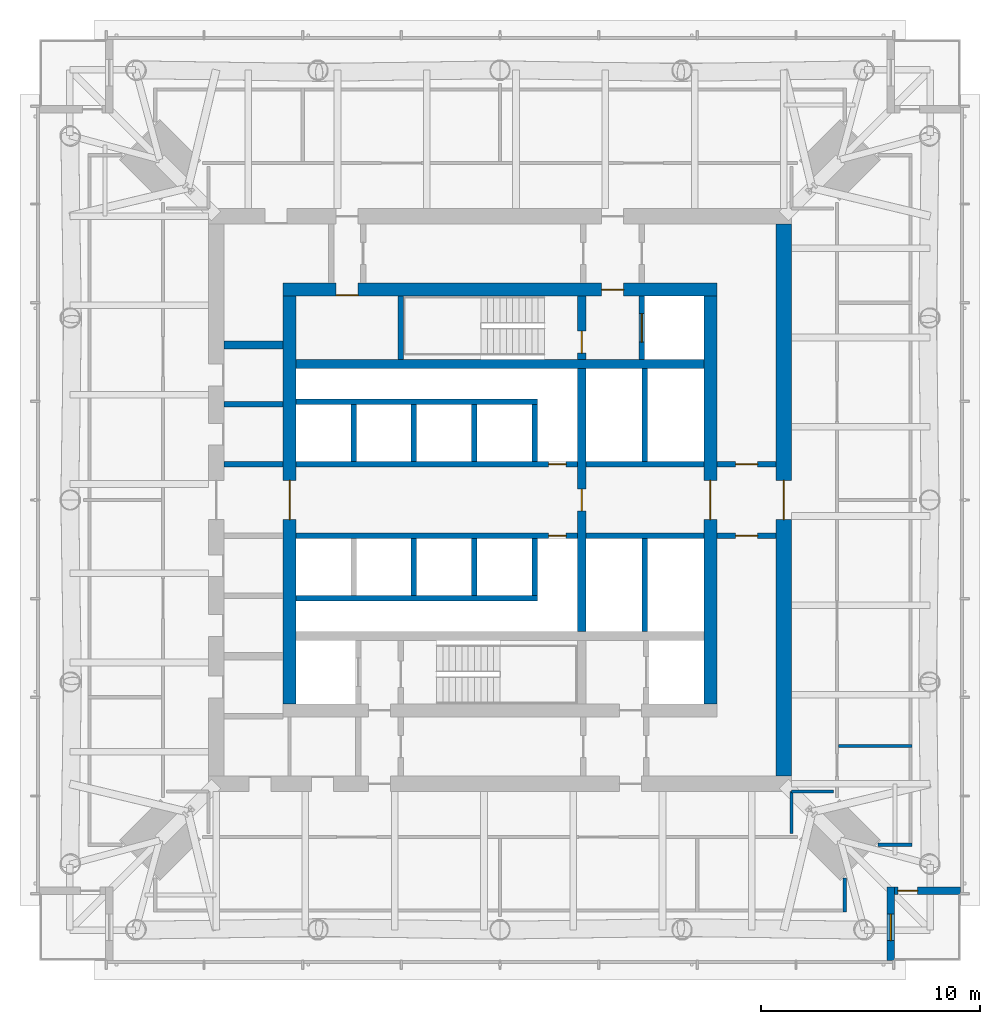
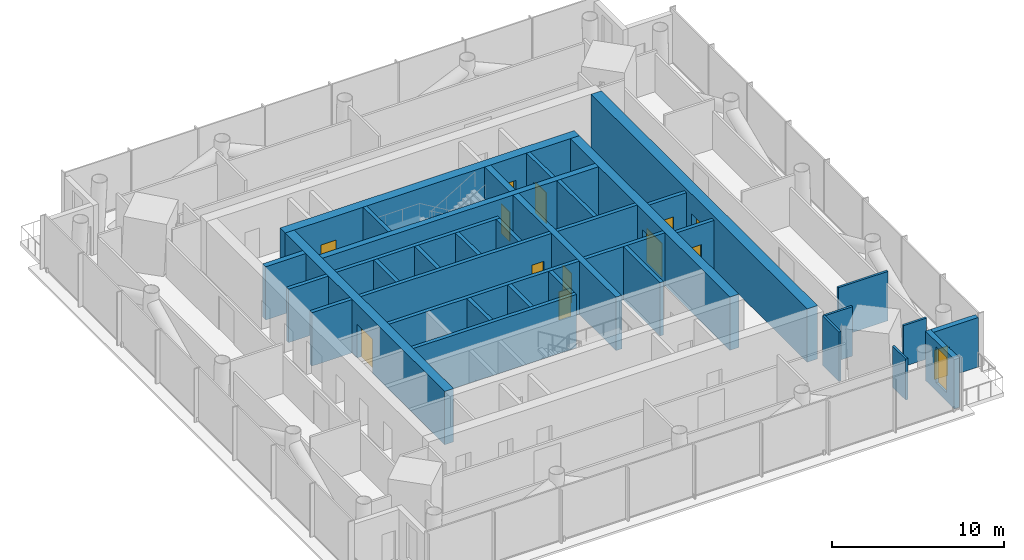
# One storey, part 6 of 13: 36 walls, 13 doors, 1 window, 14 openings.
"""IFC4 building model written with IfcOpenShell, lengths in metres."""

from ifc_helpers import new_model, si_unit, direction, frame, frame_2d, origin, place, context, subcontext, project, spatial, rectangle, extrude, material, layer, layer_set, type_object, element, fill, save


model = new_model("IFC4")

# Units and contexts
model_context = context("Model", 3, precision=1e-05, world=origin(), true_north=direction((0.0, 1.0)))
body_context = subcontext(model_context, "Body", "Model", "MODEL_VIEW")
ifc_project = project(units=[si_unit("LENGTHUNIT", "METRE"), si_unit("AREAUNIT", "SQUARE_METRE"), si_unit("VOLUMEUNIT", "CUBIC_METRE"), si_unit("PLANEANGLEUNIT", "RADIAN"), si_unit("MASSUNIT", "GRAM", prefix="KILO")], contexts=[model_context])

# Site, building, storey
site_placement = place(None, origin())
site = spatial("IfcSite", under=ifc_project, at=site_placement, CompositionType="ELEMENT")
building_placement = place(site_placement, origin())
building = spatial("IfcBuilding", under=site, at=building_placement, Name="Ostroluk Exchange", CompositionType="ELEMENT")
storey_placement = place(building_placement, frame((0.0, 0.0, 157.800048828125)))
storey = spatial("IfcBuildingStorey", under=building, at=storey_placement, Name="L40", CompositionType="ELEMENT", Elevation=157.800048828125)

# Wall
ifc_material_1 = material(Name="Concrete blockwork", Category="masonry")
ifc_layer_1 = layer(ifc_material_1, 0.14990234375)
ifc_layer_set_1 = layer_set([ifc_layer_1], Name="Blockwork plant room wall 150")
wall_type_1 = type_object("IfcWallType", Name="Blockwork plant room wall 150", PredefinedType="SOLIDWALL", material=ifc_layer_set_1)
wall_1_placement = place(storey_placement, frame((60.449951171875, 34.77490234375, 0.0), z_axis=(0.0, 0.0, 1.0), x_axis=(1.0, 0.0, 0.0)))
element("IfcWall", 1, at=wall_1_placement, inside=storey, type_object=wall_type_1, Name="Plant room wall", PredefinedType="SOLIDWALL", context=body_context, shape_type="SweptSolid", body=[
    extrude(rectangle(XDim=3.35009765625, YDim=0.14990234375, at=frame_2d((1.675048828125, 0.0))), origin(), (0.0, 0.0, 1.0), 3.52001953125),
])

# Wall, opening, door
ifc_material_2 = material(Name="Concrete blockwork", Category="masonry")
ifc_layer_2 = layer(ifc_material_2, 0.25)
ifc_layer_set_2 = layer_set([ifc_layer_2], Name="Blockwork stair enclosure wall 250")
wall_type_2 = type_object("IfcWallType", Name="Blockwork stair enclosure wall 250", PredefinedType="SOLIDWALL", material=ifc_layer_set_2)
wall_2_placement = place(storey_placement, frame((54.89990234375, 44.375, 0.0), z_axis=(0.0, 0.0, 1.0), x_axis=(1.0, 0.0, 0.0)))
wall_2 = element("IfcWall", 2, at=wall_2_placement, inside=storey, type_object=wall_type_2, Name="Lift lobby enclosure wall", PredefinedType="SOLIDWALL", context=body_context, shape_type="SweptSolid", body=[
    extrude(rectangle(XDim=2.7001953125, YDim=0.25, at=frame_2d((1.35009765625, 0.0))), origin(), (0.0, 0.0, 1.0), 3.52001953125),
])
opening_1_placement = place(wall_2_placement, frame((0.85009765625, 0.0, 0.0)))
opening_1 = element("IfcOpeningElement", 3, at=opening_1_placement, cuts=wall_2, Name="Opening FD60", PredefinedType="OPENING", context=body_context, shape_type="SweptSolid", body=[
    extrude(rectangle(XDim=1.0, YDim=2.10009765625, at=frame_2d((0.5, 1.050048828125))), frame((0.0, 0.135009765625, 0.0), z_axis=(0.0, -1.0, 0.0), x_axis=(1.0, 0.0, 0.0)), (0.0, 0.0, 1.0), 0.27001953125),
])
ifc_material_3 = material(Name="Steel", Category="steel")
door_type_1 = type_object("IfcDoorType", Name="Fire door EI 60 1000 x 2100", OperationType="SINGLE_SWING_LEFT", PredefinedType="DOOR", material=ifc_material_3)
door_1_placement = place(opening_1_placement, origin())
door_1 = element("IfcDoor", 4, at=door_1_placement, inside=storey, type_object=door_type_1, Name="Core link door", OperationType="SINGLE_SWING_LEFT", OverallHeight=2.10009765625, OverallWidth=1.0, PredefinedType="DOOR", context=body_context, shape_type="SweptSolid", body=[
    extrude(rectangle(XDim=1.0, YDim=2.10009765625, at=frame_2d((0.5, 1.050048828125))), frame((0.0, 0.02490234375, 0.0), z_axis=(0.0, -1.0, 0.0), x_axis=(1.0, 0.0, 0.0)), (0.0, 0.0, 1.0), 0.050048828125),
])
fill(opening_1, door_1)

wall_3_placement = place(storey_placement, frame((54.89990234375, 47.625, 0.0), z_axis=(0.0, 0.0, 1.0), x_axis=(1.0, 0.0, 0.0)))
wall_3 = element("IfcWall", 5, at=wall_3_placement, inside=storey, type_object=wall_type_2, Name="Lift lobby enclosure wall", PredefinedType="SOLIDWALL", context=body_context, shape_type="SweptSolid", body=[
    extrude(rectangle(XDim=2.7001953125, YDim=0.25, at=frame_2d((1.35009765625, 0.0))), origin(), (0.0, 0.0, 1.0), 3.52001953125),
])
opening_2_placement = place(wall_3_placement, frame((0.85009765625, 0.0, 0.0)))
opening_2 = element("IfcOpeningElement", 6, at=opening_2_placement, cuts=wall_3, Name="Opening FD60", PredefinedType="OPENING", context=body_context, shape_type="SweptSolid", body=[
    extrude(rectangle(XDim=1.0, YDim=2.10009765625, at=frame_2d((0.5, 1.050048828125))), frame((0.0, 0.135009765625, 0.0), z_axis=(0.0, -1.0, 0.0), x_axis=(1.0, 0.0, 0.0)), (0.0, 0.0, 1.0), 0.27001953125),
])
door_2_placement = place(opening_2_placement, origin())
door_2 = element("IfcDoor", 7, at=door_2_placement, inside=storey, type_object=door_type_1, Name="Core link door", OperationType="SINGLE_SWING_LEFT", OverallHeight=2.10009765625, OverallWidth=1.0, PredefinedType="DOOR", context=body_context, shape_type="SweptSolid", body=[
    extrude(rectangle(XDim=1.0, YDim=2.10009765625, at=frame_2d((0.5, 1.050048828125))), frame((0.0, 0.02490234375, 0.0), z_axis=(0.0, -1.0, 0.0), x_axis=(1.0, 0.0, 0.0)), (0.0, 0.0, 1.0), 0.050048828125),
])
fill(opening_2, door_2)

# Wall
ifc_material_4 = material(Name="Concrete C50/60", Category="concrete")
ifc_layer_3 = layer(ifc_material_4, 0.39990234375)
ifc_layer_set_3 = layer_set([ifc_layer_3], Name="Core cross wall 400 C50/60")
wall_type_3 = type_object("IfcWallType", Name="Core cross wall 400 C50/60", PredefinedType="SHEAR", material=ifc_layer_set_3)
wall_4_placement = place(storey_placement, frame((35.699951171875, 52.199951171875, 0.0), z_axis=(0.0, 0.0, 1.0), x_axis=(1.0, 0.0, 0.0)))
element("IfcWall", 8, at=wall_4_placement, inside=storey, type_object=wall_type_3, Name="T1 core wall XN", PredefinedType="SHEAR", context=body_context, shape_type="SweptSolid", body=[
    extrude(rectangle(XDim=18.60009765625, YDim=0.39990234375, at=frame_2d((9.300048828125, 0.0))), origin(), (0.0, 0.0, 1.0), 3.800048828125),
])

# Wall, opening, door
wall_5_placement = place(storey_placement, frame((48.72998046875, 40.0, 0.0), z_axis=(0.0, 0.0, 1.0), x_axis=(0.0, 1.0, 0.0)))
wall_5 = element("IfcWall", 9, at=wall_5_placement, inside=storey, type_object=wall_type_3, Name="T1 core wall YE2", PredefinedType="SHEAR", context=body_context, shape_type="SweptSolid", body=[
    extrude(rectangle(XDim=12.0, YDim=0.39990234375, at=frame_2d((6.0, 0.0))), origin(), (0.0, 0.0, 1.0), 3.800048828125),
])
opening_3_placement = place(wall_5_placement, frame((5.5, 0.0, 0.0)))
opening_3 = element("IfcOpeningElement", 10, at=opening_3_placement, cuts=wall_5, Name="Opening FD60", PredefinedType="OPENING", context=body_context, shape_type="SweptSolid", body=[
    extrude(rectangle(XDim=1.0, YDim=2.10009765625, at=frame_2d((0.5, 1.050048828125))), frame((0.0, 0.2099609375, 0.0), z_axis=(0.0, -1.0, 0.0), x_axis=(1.0, 0.0, 0.0)), (0.0, 0.0, 1.0), 0.419921875),
])
door_3_placement = place(opening_3_placement, origin())
door_3 = element("IfcDoor", 11, at=door_3_placement, inside=storey, type_object=door_type_1, Name="Core link door", OperationType="SINGLE_SWING_LEFT", OverallHeight=2.10009765625, OverallWidth=1.0, PredefinedType="DOOR", context=body_context, shape_type="SweptSolid", body=[
    extrude(rectangle(XDim=1.0, YDim=2.10009765625, at=frame_2d((0.5, 1.050048828125))), frame((0.0, 0.02490234375, 0.0), z_axis=(0.0, -1.0, 0.0), x_axis=(1.0, 0.0, 0.0)), (0.0, 0.0, 1.0), 0.050048828125),
])
fill(opening_3, door_3)

wall_6_placement = place(storey_placement, frame((48.72998046875, 52.39990234375, 0.0), z_axis=(0.0, 0.0, 1.0), x_axis=(0.0, 1.0, 0.0)))
wall_6 = element("IfcWall", 12, at=wall_6_placement, inside=storey, type_object=wall_type_3, Name="T1 core wall YE3", PredefinedType="SHEAR", context=body_context, shape_type="SweptSolid", body=[
    extrude(rectangle(XDim=2.900146484375, YDim=0.39990234375, at=frame_2d((1.4501953125, 0.0))), origin(), (0.0, 0.0, 1.0), 3.800048828125),
])
opening_4_placement = place(wall_6_placement, frame((0.300048828125, 0.0, 0.0)))
opening_4 = element("IfcOpeningElement", 13, at=opening_4_placement, cuts=wall_6, Name="Opening FD60", PredefinedType="OPENING", context=body_context, shape_type="SweptSolid", body=[
    extrude(rectangle(XDim=1.0, YDim=2.10009765625, at=frame_2d((0.5, 1.050048828125))), frame((0.0, 0.2099609375, 0.0), z_axis=(0.0, -1.0, 0.0), x_axis=(1.0, 0.0, 0.0)), (0.0, 0.0, 1.0), 0.419921875),
])
door_4_placement = place(opening_4_placement, origin())
door_4 = element("IfcDoor", 14, at=door_4_placement, inside=storey, type_object=door_type_1, Name="Stair T1-S2 door", OperationType="SINGLE_SWING_LEFT", OverallHeight=2.10009765625, OverallWidth=1.0, PredefinedType="DOOR", context=body_context, shape_type="SweptSolid", body=[
    extrude(rectangle(XDim=1.0, YDim=2.10009765625, at=frame_2d((0.5, 1.050048828125))), frame((0.0, 0.02490234375, 0.0), z_axis=(0.0, -1.0, 0.0), x_axis=(1.0, 0.0, 0.0)), (0.0, 0.0, 1.0), 0.050048828125),
])
fill(opening_4, door_4)

# Wall
ifc_material_5 = material(Name="Concrete C40/50", Category="concrete")
ifc_layer_4 = layer(ifc_material_5, 0.25)
ifc_layer_set_4 = layer_set([ifc_layer_4], Name="Core shaft wall 250")
wall_type_4 = type_object("IfcWallType", Name="Core shaft wall 250", PredefinedType="SHEAR", material=ifc_layer_set_4)
wall_7_placement = place(storey_placement, frame((40.47509765625, 52.39990234375, 0.0), z_axis=(0.0, 0.0, 1.0), x_axis=(0.0, 1.0, 0.0)))
element("IfcWall", 15, at=wall_7_placement, inside=storey, type_object=wall_type_4, Name="Stair shaft wall", PredefinedType="SHEAR", context=body_context, shape_type="SweptSolid", body=[
    extrude(rectangle(XDim=2.900146484375, YDim=0.25, at=frame_2d((1.4501953125, 0.0))), origin(), (0.0, 0.0, 1.0), 3.800048828125),
])

# Wall, opening, door
wall_8_placement = place(storey_placement, frame((51.47509765625, 52.39990234375, 0.0), z_axis=(0.0, 0.0, 1.0), x_axis=(0.0, 1.0, 0.0)))
wall_8 = element("IfcWall", 16, at=wall_8_placement, inside=storey, type_object=wall_type_4, Name="Firefighting lift shaft wall", PredefinedType="SHEAR", context=body_context, shape_type="SweptSolid", body=[
    extrude(rectangle(XDim=2.900146484375, YDim=0.25, at=frame_2d((1.4501953125, 0.0))), origin(), (0.0, 0.0, 1.0), 3.800048828125),
])
opening_5_placement = place(wall_8_placement, frame((0.800048828125, 0.0, 0.0)))
opening_5 = element("IfcOpeningElement", 17, at=opening_5_placement, cuts=wall_8, Name="Opening LD2", PredefinedType="OPENING", context=body_context, shape_type="SweptSolid", body=[
    extrude(rectangle(XDim=1.300048828125, YDim=2.199951171875, at=frame_2d((0.64990234375, 1.10009765625))), frame((0.0, 0.135009765625, 0.0), z_axis=(0.0, -1.0, 0.0), x_axis=(1.0, 0.0, 0.0)), (0.0, 0.0, 1.0), 0.27001953125),
])
ifc_material_6 = material(Name="Stainless steel", Category="steel")
door_type_2 = type_object("IfcDoorType", Name="Lift landing door E 60 1300 x 2200", OperationType="DOUBLE_DOOR_SLIDING", PredefinedType="DOOR", material=ifc_material_6)
door_5_placement = place(opening_5_placement, origin())
door_5 = element("IfcDoor", 18, at=door_5_placement, inside=storey, type_object=door_type_2, Name="Lift FL2 landing door", OperationType="DOUBLE_DOOR_SLIDING", OverallHeight=2.199951171875, OverallWidth=1.300048828125, PredefinedType="DOOR", context=body_context, shape_type="SweptSolid", body=[
    extrude(rectangle(XDim=1.300048828125, YDim=2.199951171875, at=frame_2d((0.64990234375, 1.10009765625))), frame((0.0, 0.02490234375, 0.0), z_axis=(0.0, -1.0, 0.0), x_axis=(1.0, 0.0, 0.0)), (0.0, 0.0, 1.0), 0.050048828125),
])
fill(opening_5, door_5)

# Walls
for number, where, z_axis, x_axis, name in (
    (19, (38.324951171875, 47.75, 0.0), (0.0, 0.0, 1.0), (0.0, 1.0, 0.0), "Lift shaft wall"),
    (20, (41.074951171875, 47.75, 0.0), (0.0, 0.0, 1.0), (0.0, 1.0, 0.0), "Lift shaft wall"),
    (21, (43.824951171875, 47.75, 0.0), (0.0, 0.0, 1.0), (0.0, 1.0, 0.0), "Lift shaft wall"),
    (22, (46.574951171875, 47.75, 0.0), (0.0, 0.0, 1.0), (0.0, 1.0, 0.0), "Lift shaft wall"),
):
    element("IfcWall", number, at=place(storey_placement, frame(where, z_axis=z_axis, x_axis=x_axis)), inside=storey, type_object=wall_type_4, Name=name, PredefinedType="SHEAR", context=body_context, shape_type="SweptSolid", body=[
        extrude(rectangle(XDim=2.60009765625, YDim=0.25, at=frame_2d((1.300048828125, 0.0))), origin(), (0.0, 0.0, 1.0), 3.800048828125),
    ])
wall_9_placement = place(storey_placement, frame((35.699951171875, 50.47509765625, 0.0), z_axis=(0.0, 0.0, 1.0), x_axis=(1.0, 0.0, 0.0)))
element("IfcWall", 23, at=wall_9_placement, inside=storey, type_object=wall_type_4, Name="Lift shaft wall", PredefinedType="SHEAR", context=body_context, shape_type="SweptSolid", body=[
    extrude(rectangle(XDim=11.0, YDim=0.25, at=frame_2d((5.5, 0.0))), origin(), (0.0, 0.0, 1.0), 3.800048828125),
])

# Wall, opening, door
wall_10_placement = place(storey_placement, frame((35.699951171875, 47.625, 0.0), z_axis=(0.0, 0.0, 1.0), x_axis=(1.0, 0.0, 0.0)))
wall_10 = element("IfcWall", 24, at=wall_10_placement, inside=storey, type_object=wall_type_4, Name="Lift shaft front wall", PredefinedType="SHEAR", context=body_context, shape_type="SweptSolid", body=[
    extrude(rectangle(XDim=12.830078125, YDim=0.25, at=frame_2d((6.4150390625, 0.0))), origin(), (0.0, 0.0, 1.0), 3.800048828125),
])
opening_6_placement = place(wall_10_placement, frame((11.514892578125, 0.0, 0.0)))
opening_6 = element("IfcOpeningElement", 25, at=opening_6_placement, cuts=wall_10, Name="Opening RD60", PredefinedType="OPENING", context=body_context, shape_type="SweptSolid", body=[
    extrude(rectangle(XDim=0.800048828125, YDim=2.0, at=frame_2d((0.39990234375, 1.0))), frame((0.0, 0.135009765625, 0.0), z_axis=(0.0, -1.0, 0.0), x_axis=(1.0, 0.0, 0.0)), (0.0, 0.0, 1.0), 0.27001953125),
])
ifc_material_7 = material(Name="Steel", Category="steel")
door_type_3 = type_object("IfcDoorType", Name="Riser access door EI 60 800 x 2000", OperationType="SINGLE_SWING_LEFT", PredefinedType="DOOR", material=ifc_material_7)
door_6_placement = place(opening_6_placement, origin())
door_6 = element("IfcDoor", 26, at=door_6_placement, inside=storey, type_object=door_type_3, Name="Riser access door", OperationType="SINGLE_SWING_RIGHT", OverallHeight=2.0, OverallWidth=0.800048828125, PredefinedType="DOOR", context=body_context, shape_type="SweptSolid", body=[
    extrude(rectangle(XDim=0.800048828125, YDim=2.0, at=frame_2d((0.39990234375, 1.0))), frame((0.0, 0.02490234375, 0.0), z_axis=(0.0, -1.0, 0.0), x_axis=(1.0, 0.0, 0.0)), (0.0, 0.0, 1.0), 0.050048828125),
])
fill(opening_6, door_6)

# Walls
for number, where, z_axis, x_axis, name in (
    (27, (41.074951171875, 44.25, 0.0), (0.0, 0.0, 1.0), (0.0, -1.0, 0.0), "Lift shaft wall"),
    (28, (43.824951171875, 44.25, 0.0), (0.0, 0.0, 1.0), (0.0, -1.0, 0.0), "Lift shaft wall"),
    (29, (46.574951171875, 44.25, 0.0), (0.0, 0.0, 1.0), (0.0, -1.0, 0.0), "Lift shaft wall"),
):
    element("IfcWall", number, at=place(storey_placement, frame(where, z_axis=z_axis, x_axis=x_axis)), inside=storey, type_object=wall_type_4, Name=name, PredefinedType="SHEAR", context=body_context, shape_type="SweptSolid", body=[
        extrude(rectangle(XDim=2.60009765625, YDim=0.25, at=frame_2d((1.300048828125, 0.0))), origin(), (0.0, 0.0, 1.0), 3.800048828125),
    ])
wall_11_placement = place(storey_placement, frame((35.699951171875, 41.52490234375, 0.0), z_axis=(0.0, 0.0, 1.0), x_axis=(1.0, 0.0, 0.0)))
element("IfcWall", 30, at=wall_11_placement, inside=storey, type_object=wall_type_4, Name="Lift shaft wall", PredefinedType="SHEAR", context=body_context, shape_type="SweptSolid", body=[
    extrude(rectangle(XDim=11.0, YDim=0.25, at=frame_2d((5.5, 0.0))), origin(), (0.0, 0.0, 1.0), 3.800048828125),
])

# Wall, opening, door
wall_12_placement = place(storey_placement, frame((35.699951171875, 44.375, 0.0), z_axis=(0.0, 0.0, 1.0), x_axis=(1.0, 0.0, 0.0)))
wall_12 = element("IfcWall", 31, at=wall_12_placement, inside=storey, type_object=wall_type_4, Name="Lift shaft front wall", PredefinedType="SHEAR", context=body_context, shape_type="SweptSolid", body=[
    extrude(rectangle(XDim=12.830078125, YDim=0.25, at=frame_2d((6.4150390625, 0.0))), origin(), (0.0, 0.0, 1.0), 3.800048828125),
])
opening_7_placement = place(wall_12_placement, frame((11.514892578125, 0.0, 0.0)))
opening_7 = element("IfcOpeningElement", 32, at=opening_7_placement, cuts=wall_12, Name="Opening RD60", PredefinedType="OPENING", context=body_context, shape_type="SweptSolid", body=[
    extrude(rectangle(XDim=0.800048828125, YDim=2.0, at=frame_2d((0.39990234375, 1.0))), frame((0.0, 0.135009765625, 0.0), z_axis=(0.0, -1.0, 0.0), x_axis=(1.0, 0.0, 0.0)), (0.0, 0.0, 1.0), 0.27001953125),
])
door_7_placement = place(opening_7_placement, origin())
door_7 = element("IfcDoor", 33, at=door_7_placement, inside=storey, type_object=door_type_3, Name="Riser access door", OperationType="SINGLE_SWING_RIGHT", OverallHeight=2.0, OverallWidth=0.800048828125, PredefinedType="DOOR", context=body_context, shape_type="SweptSolid", body=[
    extrude(rectangle(XDim=0.800048828125, YDim=2.0, at=frame_2d((0.39990234375, 1.0))), frame((0.0, 0.02490234375, 0.0), z_axis=(0.0, -1.0, 0.0), x_axis=(1.0, 0.0, 0.0)), (0.0, 0.0, 1.0), 0.050048828125),
])
fill(opening_7, door_7)

# Walls
wall_13_placement = place(storey_placement, frame((51.614990234375, 47.75, 0.0), z_axis=(0.0, 0.0, 1.0), x_axis=(0.0, 1.0, 0.0)))
element("IfcWall", 34, at=wall_13_placement, inside=storey, type_object=wall_type_4, Name="Lift shaft wall", PredefinedType="SHEAR", context=body_context, shape_type="SweptSolid", body=[
    extrude(rectangle(XDim=4.25, YDim=0.25, at=frame_2d((2.125, 0.0))), origin(), (0.0, 0.0, 1.0), 3.800048828125),
])
wall_14_placement = place(storey_placement, frame((48.929931640625, 47.625, 0.0), z_axis=(0.0, 0.0, 1.0), x_axis=(1.0, 0.0, 0.0)))
element("IfcWall", 35, at=wall_14_placement, inside=storey, type_object=wall_type_4, Name="Lift shaft front wall", PredefinedType="SHEAR", context=body_context, shape_type="SweptSolid", body=[
    extrude(rectangle(XDim=5.3701171875, YDim=0.25, at=frame_2d((2.68505859375, 0.0))), origin(), (0.0, 0.0, 1.0), 3.800048828125),
])
wall_15_placement = place(storey_placement, frame((51.614990234375, 44.25, 0.0), z_axis=(0.0, 0.0, 1.0), x_axis=(0.0, -1.0, 0.0)))
element("IfcWall", 36, at=wall_15_placement, inside=storey, type_object=wall_type_4, Name="Lift shaft wall", PredefinedType="SHEAR", context=body_context, shape_type="SweptSolid", body=[
    extrude(rectangle(XDim=4.25, YDim=0.25, at=frame_2d((2.125, 0.0))), origin(), (0.0, 0.0, 1.0), 3.800048828125),
])
wall_16_placement = place(storey_placement, frame((48.929931640625, 44.375, 0.0), z_axis=(0.0, 0.0, 1.0), x_axis=(1.0, 0.0, 0.0)))
element("IfcWall", 37, at=wall_16_placement, inside=storey, type_object=wall_type_4, Name="Lift shaft front wall", PredefinedType="SHEAR", context=body_context, shape_type="SweptSolid", body=[
    extrude(rectangle(XDim=5.3701171875, YDim=0.25, at=frame_2d((2.68505859375, 0.0))), origin(), (0.0, 0.0, 1.0), 3.800048828125),
])
for number, where, z_axis, x_axis, name in (
    (38, (32.39990234375, 47.625, 0.0), (0.0, 0.0, 1.0), (1.0, 0.0, 0.0), "Lift shaft wall"),
    (39, (32.39990234375, 50.375, 0.0), (0.0, 0.0, 1.0), (1.0, 0.0, 0.0), "Lift shaft wall"),
):
    element("IfcWall", number, at=place(storey_placement, frame(where, z_axis=z_axis, x_axis=x_axis)), inside=storey, type_object=wall_type_4, Name=name, PredefinedType="SHEAR", context=body_context, shape_type="SweptSolid", body=[
        extrude(rectangle(XDim=2.7001953125, YDim=0.25, at=frame_2d((1.35009765625, 0.0))), origin(), (0.0, 0.0, 1.0), 3.800048828125),
    ])
wall_17_placement = place(storey_placement, frame((32.39990234375, 53.074951171875, 0.0), z_axis=(0.0, 0.0, 1.0), x_axis=(1.0, 0.0, 0.0)))
element("IfcWall", 40, at=wall_17_placement, inside=storey, type_object=wall_type_4, Name="Lift shaft wall", PredefinedType="SHEAR", context=body_context, shape_type="SweptSolid", body=[
    extrude(rectangle(XDim=2.7001953125, YDim=0.35009765625, at=frame_2d((1.35009765625, 0.0))), origin(), (0.0, 0.0, 1.0), 3.800048828125),
])

# Wall, openings, doors
ifc_material_8 = material(Name="Concrete C50/60", Category="concrete")
ifc_layer_5 = layer(ifc_material_8, 0.60009765625)
ifc_layer_set_5 = layer_set([ifc_layer_5], Name="Core wall 600 C50/60")
wall_type_5 = type_object("IfcWallType", Name="Core wall 600 C50/60", PredefinedType="SHEAR", material=ifc_layer_set_5)
wall_18_placement = place(storey_placement, frame((35.10009765625, 55.60009765625, 0.0), z_axis=(0.0, 0.0, 1.0), x_axis=(1.0, 0.0, 0.0)))
wall_18 = element("IfcWall", 41, at=wall_18_placement, inside=storey, type_object=wall_type_5, Name="T1 core wall N", PredefinedType="SHEAR", context=body_context, shape_type="SweptSolid", body=[
    extrude(rectangle(XDim=19.7998046875, YDim=0.60009765625, at=frame_2d((9.89990234375, 0.0))), origin(), (0.0, 0.0, 1.0), 3.800048828125),
])
opening_8_placement = place(wall_18_placement, frame((14.5400390625, 0.0, 0.0)))
opening_8 = element("IfcOpeningElement", 42, at=opening_8_placement, cuts=wall_18, Name="Opening FD60", PredefinedType="OPENING", context=body_context, shape_type="SweptSolid", body=[
    extrude(rectangle(XDim=1.0, YDim=2.10009765625, at=frame_2d((0.5, 1.050048828125))), frame((0.0, 0.31005859375, 0.0), z_axis=(0.0, -1.0, 0.0), x_axis=(1.0, 0.0, 0.0)), (0.0, 0.0, 1.0), 0.6201171875),
])
opening_9_placement = place(wall_18_placement, frame((2.425048828125, 0.0, 0.0)))
opening_9 = element("IfcOpeningElement", 43, at=opening_9_placement, cuts=wall_18, Name="Opening FD60", PredefinedType="OPENING", context=body_context, shape_type="SweptSolid", body=[
    extrude(rectangle(XDim=1.0, YDim=2.10009765625, at=frame_2d((0.5, 1.050048828125))), frame((0.0, 0.31005859375, 0.0), z_axis=(0.0, -1.0, 0.0), x_axis=(1.0, 0.0, 0.0)), (0.0, 0.0, 1.0), 0.6201171875),
])
door_8_placement = place(opening_8_placement, origin())
door_8 = element("IfcDoor", 44, at=door_8_placement, inside=storey, type_object=door_type_1, Name="Firefighting lobby door", OperationType="SINGLE_SWING_RIGHT", OverallHeight=2.10009765625, OverallWidth=1.0, PredefinedType="DOOR", context=body_context, shape_type="SweptSolid", body=[
    extrude(rectangle(XDim=1.0, YDim=2.10009765625, at=frame_2d((0.5, 1.050048828125))), frame((0.0, 0.02490234375, 0.0), z_axis=(0.0, -1.0, 0.0), x_axis=(1.0, 0.0, 0.0)), (0.0, 0.0, 1.0), 0.050048828125),
])
fill(opening_8, door_8)
door_9_placement = place(opening_9_placement, origin())
door_9 = element("IfcDoor", 45, at=door_9_placement, inside=storey, type_object=door_type_1, Name="Plant control room door", OperationType="SINGLE_SWING_LEFT", OverallHeight=2.10009765625, OverallWidth=1.0, PredefinedType="DOOR", context=body_context, shape_type="SweptSolid", body=[
    extrude(rectangle(XDim=1.0, YDim=2.10009765625, at=frame_2d((0.5, 1.050048828125))), frame((0.0, -0.23974609375, 0.0), z_axis=(0.0, -1.0, 0.0), x_axis=(1.0, 0.0, 0.0)), (0.0, 0.0, 1.0), 0.050048828125),
])
fill(opening_9, door_9)

# Wall, opening, door
wall_19_placement = place(storey_placement, frame((35.39990234375, 36.699951171875, 0.0), z_axis=(0.0, 0.0, 1.0), x_axis=(0.0, 1.0, 0.0)))
wall_19 = element("IfcWall", 46, at=wall_19_placement, inside=storey, type_object=wall_type_5, Name="T1 core wall W", PredefinedType="SHEAR", context=body_context, shape_type="SweptSolid", body=[
    extrude(rectangle(XDim=18.60009765625, YDim=0.60009765625, at=frame_2d((9.300048828125, 0.0))), origin(), (0.0, 0.0, 1.0), 3.800048828125),
])
opening_10_placement = place(wall_19_placement, frame((8.39990234375, 0.0, 0.0)))
opening_10 = element("IfcOpeningElement", 47, at=opening_10_placement, cuts=wall_19, Name="Opening FD30D", PredefinedType="OPENING", context=body_context, shape_type="SweptSolid", body=[
    extrude(rectangle(XDim=1.800048828125, YDim=2.39990234375, at=frame_2d((0.89990234375, 1.199951171875))), frame((0.0, 0.31005859375, 0.0), z_axis=(0.0, -1.0, 0.0), x_axis=(1.0, 0.0, 0.0)), (0.0, 0.0, 1.0), 0.6201171875),
])
ifc_material_9 = material(Name="Timber", Category="wood")
door_type_4 = type_object("IfcDoorType", Name="Lobby double door EI 30 1800 x 2400", OperationType="DOUBLE_DOOR_SINGLE_SWING", PredefinedType="DOOR", material=ifc_material_9)
door_10_placement = place(opening_10_placement, origin())
door_10 = element("IfcDoor", 48, at=door_10_placement, inside=storey, type_object=door_type_4, Name="Lift lobby doors", OperationType="DOUBLE_DOOR_SINGLE_SWING", OverallHeight=2.39990234375, OverallWidth=1.800048828125, PredefinedType="DOOR", context=body_context, shape_type="SweptSolid", body=[
    extrude(rectangle(XDim=1.800048828125, YDim=2.39990234375, at=frame_2d((0.89990234375, 1.199951171875))), frame((0.0, 0.02490234375, 0.0), z_axis=(0.0, -1.0, 0.0), x_axis=(1.0, 0.0, 0.0)), (0.0, 0.0, 1.0), 0.050048828125),
])
fill(opening_10, door_10)

wall_20_placement = place(storey_placement, frame((54.60009765625, 36.699951171875, 0.0), z_axis=(0.0, 0.0, 1.0), x_axis=(0.0, 1.0, 0.0)))
wall_20 = element("IfcWall", 49, at=wall_20_placement, inside=storey, type_object=wall_type_5, Name="T1 core wall E", PredefinedType="SHEAR", context=body_context, shape_type="SweptSolid", body=[
    extrude(rectangle(XDim=18.60009765625, YDim=0.60009765625, at=frame_2d((9.300048828125, 0.0))), origin(), (0.0, 0.0, 1.0), 3.800048828125),
])
opening_11_placement = place(wall_20_placement, frame((8.39990234375, 0.0, 0.0)))
opening_11 = element("IfcOpeningElement", 50, at=opening_11_placement, cuts=wall_20, Name="Opening FD30D", PredefinedType="OPENING", context=body_context, shape_type="SweptSolid", body=[
    extrude(rectangle(XDim=1.800048828125, YDim=2.39990234375, at=frame_2d((0.89990234375, 1.199951171875))), frame((0.0, 0.31005859375, 0.0), z_axis=(0.0, -1.0, 0.0), x_axis=(1.0, 0.0, 0.0)), (0.0, 0.0, 1.0), 0.6201171875),
])
door_11_placement = place(opening_11_placement, origin())
door_11 = element("IfcDoor", 51, at=door_11_placement, inside=storey, type_object=door_type_4, Name="Lift lobby doors", OperationType="DOUBLE_DOOR_SINGLE_SWING", OverallHeight=2.39990234375, OverallWidth=1.800048828125, PredefinedType="DOOR", context=body_context, shape_type="SweptSolid", body=[
    extrude(rectangle(XDim=1.800048828125, YDim=2.39990234375, at=frame_2d((0.89990234375, 1.199951171875))), frame((0.0, 0.02490234375, 0.0), z_axis=(0.0, -1.0, 0.0), x_axis=(1.0, 0.0, 0.0)), (0.0, 0.0, 1.0), 0.050048828125),
])
fill(opening_11, door_11)

ifc_material_10 = material(Name="Concrete C50/60", Category="concrete")
ifc_layer_6 = layer(ifc_material_10, 0.699951171875)
ifc_layer_set_6 = layer_set([ifc_layer_6], Name="Core wall 700 C50/60")
wall_type_6 = type_object("IfcWallType", Name="Core wall 700 C50/60", PredefinedType="SHEAR", material=ifc_layer_set_6)
wall_21_placement = place(storey_placement, frame((57.949951171875, 33.39990234375, 0.0), z_axis=(0.0, 0.0, 1.0), x_axis=(0.0, 1.0, 0.0)))
wall_21 = element("IfcWall", 52, at=wall_21_placement, inside=storey, type_object=wall_type_6, Name="T1 core wall RE", PredefinedType="SHEAR", context=body_context, shape_type="SweptSolid", body=[
    extrude(rectangle(XDim=25.2001953125, YDim=0.699951171875, at=frame_2d((12.60009765625, 0.0))), origin(), (0.0, 0.0, 1.0), 3.800048828125),
])
opening_12_placement = place(wall_21_placement, frame((11.699951171875, 0.0, 0.0)))
opening_12 = element("IfcOpeningElement", 53, at=opening_12_placement, cuts=wall_21, Name="Opening FD30D", PredefinedType="OPENING", context=body_context, shape_type="SweptSolid", body=[
    extrude(rectangle(XDim=1.800048828125, YDim=2.39990234375, at=frame_2d((0.89990234375, 1.199951171875))), frame((0.0, 0.35986328125, 0.0), z_axis=(0.0, -1.0, 0.0), x_axis=(1.0, 0.0, 0.0)), (0.0, 0.0, 1.0), 0.719970703125),
])
door_12_placement = place(opening_12_placement, origin())
door_12 = element("IfcDoor", 54, at=door_12_placement, inside=storey, type_object=door_type_4, Name="Lift lobby doors", OperationType="DOUBLE_DOOR_SINGLE_SWING", OverallHeight=2.39990234375, OverallWidth=1.800048828125, PredefinedType="DOOR", context=body_context, shape_type="SweptSolid", body=[
    extrude(rectangle(XDim=1.800048828125, YDim=2.39990234375, at=frame_2d((0.89990234375, 1.199951171875))), frame((0.0, 0.02490234375, 0.0), z_axis=(0.0, -1.0, 0.0), x_axis=(1.0, 0.0, 0.0)), (0.0, 0.0, 1.0), 0.050048828125),
])
fill(opening_12, door_12)

# Wall, opening, window
ifc_material_11 = material(Name="Limestone", Category="masonry")
ifc_layer_7 = layer(ifc_material_11, 0.35009765625)
ifc_layer_set_7 = layer_set([ifc_layer_7], Name="Limestone facade wall 350")
wall_type_7 = type_object("IfcWallType", Name="Limestone facade wall 350", PredefinedType="SOLIDWALL", material=ifc_layer_set_7)
wall_22_placement = place(storey_placement, frame((62.824951171875, 25.0, 0.0), z_axis=(0.0, 0.0, 1.0), x_axis=(0.0, 1.0, 0.0)))
wall_22 = element("IfcWall", 55, at=wall_22_placement, inside=storey, type_object=wall_type_7, Name="Office tower SE corner wall L40 a", PredefinedType="SOLIDWALL", context=body_context, shape_type="SweptSolid", body=[
    extrude(rectangle(XDim=3.35009765625, YDim=0.35009765625, at=frame_2d((1.675048828125, 0.0))), origin(), (0.0, 0.0, 1.0), 3.52001953125),
])
opening_13_placement = place(wall_22_placement, frame((0.89990234375, 0.0, 0.60009765625)))
opening_13 = element("IfcOpeningElement", 56, at=opening_13_placement, cuts=wall_22, Name="Opening WN-LV1", PredefinedType="OPENING", context=body_context, shape_type="SweptSolid", body=[
    extrude(rectangle(XDim=1.199951171875, YDim=2.550048828125, at=frame_2d((0.60009765625, 1.27490234375))), frame((0.0, 0.18505859375, 0.0), z_axis=(0.0, -1.0, 0.0), x_axis=(1.0, 0.0, 0.0)), (0.0, 0.0, 1.0), 0.3701171875),
])
ifc_material_12 = material(Name="Aluminium louvre", Category="aluminium")
window_type = type_object("IfcWindowType", Name="Lancet louvre 1200 x 2550", PartitioningType="SINGLE_PANEL", PredefinedType="USERDEFINED", material=ifc_material_12)
window_placement = place(opening_13_placement, origin())
window = element("IfcWindow", 57, at=window_placement, inside=storey, type_object=window_type, Name="Office tower SE plant louvre L40", ObjectType="LOUVRE", OverallHeight=2.550048828125, OverallWidth=1.199951171875, PartitioningType="SINGLE_PANEL", PredefinedType="USERDEFINED", context=body_context, shape_type="SweptSolid", body=[
    extrude(rectangle(XDim=1.199951171875, YDim=2.550048828125, at=frame_2d((0.60009765625, 1.27490234375))), frame((0.0, 0.030029296875, 0.0), z_axis=(0.0, -1.0, 0.0), x_axis=(1.0, 0.0, 0.0)), (0.0, 0.0, 1.0), 0.06005859375),
])
fill(opening_13, window)

# Wall, opening, door
wall_23_placement = place(storey_placement, frame((63.0, 28.175048828125, 0.0), z_axis=(0.0, 0.0, 1.0), x_axis=(1.0, 0.0, 0.0)))
wall_23 = element("IfcWall", 58, at=wall_23_placement, inside=storey, type_object=wall_type_7, Name="Office tower SE corner wall L40 b", PredefinedType="SOLIDWALL", context=body_context, shape_type="SweptSolid", body=[
    extrude(rectangle(XDim=3.0, YDim=0.35009765625, at=frame_2d((1.5, 0.0))), origin(), (0.0, 0.0, 1.0), 3.52001953125),
])
opening_14_placement = place(wall_23_placement, frame((0.14990234375, 0.0, 0.0)))
opening_14 = element("IfcOpeningElement", 59, at=opening_14_placement, cuts=wall_23, Name="Opening D-M1", PredefinedType="OPENING", context=body_context, shape_type="SweptSolid", body=[
    extrude(rectangle(XDim=0.89990234375, YDim=2.10009765625, at=frame_2d((0.449951171875, 1.050048828125))), frame((0.0, 0.18505859375, 0.0), z_axis=(0.0, -1.0, 0.0), x_axis=(1.0, 0.0, 0.0)), (0.0, 0.0, 1.0), 0.3701171875),
])
ifc_material_13 = material(Name="Steel door", Category="steel")
door_type_5 = type_object("IfcDoorType", Name="Maintenance access door 900 x 2100", OperationType="SINGLE_SWING_LEFT", PredefinedType="DOOR", material=ifc_material_13)
door_13_placement = place(opening_14_placement, origin())
door_13 = element("IfcDoor", 60, at=door_13_placement, inside=storey, type_object=door_type_5, Name="Maintenance access door T1 L40 SE", OperationType="SINGLE_SWING_LEFT", OverallHeight=2.10009765625, OverallWidth=0.89990234375, PredefinedType="DOOR", context=body_context, shape_type="SweptSolid", body=[
    extrude(rectangle(XDim=0.89990234375, YDim=2.10009765625, at=frame_2d((0.449951171875, 1.050048828125))), frame((0.0, 0.02490234375, 0.0), z_axis=(0.0, -1.0, 0.0), x_axis=(1.0, 0.0, 0.0)), (0.0, 0.0, 1.0), 0.050048828125),
])
fill(opening_14, door_13)

# Walls
ifc_material_14 = material(Name="Gypsum plasterboard partition", Category="gypsum")
ifc_layer_8 = layer(ifc_material_14, 0.14990234375)
ifc_layer_set_8 = layer_set([ifc_layer_8], Name="Plasterboard partition 150")
wall_type_8 = type_object("IfcWallType", Name="Plasterboard partition 150", PredefinedType="PARTITIONING", material=ifc_layer_set_8)
for number, where, z_axis, x_axis, name in (
    (61, (58.300048828125, 32.699951171875, 0.0), (0.0, 0.0, 1.0), (1.0, 0.0, 0.0), "Partition"),
    (62, (58.300048828125, 32.699951171875, 0.0), (0.0, 0.0, 1.0), (0.0, -1.0, 0.0), "Partition"),
):
    element("IfcWall", number, at=place(storey_placement, frame(where, z_axis=z_axis, x_axis=x_axis)), inside=storey, type_object=wall_type_8, Name=name, PredefinedType="PARTITIONING", context=body_context, shape_type="SweptSolid", body=[
        extrude(rectangle(XDim=1.917236328125, YDim=0.14990234375, at=frame_2d((0.95849609375, 0.0))), origin(), (0.0, 0.0, 1.0), 3.52001953125),
    ])
for number, where, z_axis, x_axis, name in (
    (63, (63.800048828125, 30.27490234375, 0.0), (0.0, 0.0, 1.0), (-1.0, 0.0, 0.0), "Truss zone partition"),
    (64, (60.72509765625, 28.75439453125, 0.0), (0.0, 0.0, 1.0), (0.0, -1.0, 0.0), "Truss zone partition"),
):
    element("IfcWall", number, at=place(storey_placement, frame(where, z_axis=z_axis, x_axis=x_axis)), inside=storey, type_object=wall_type_8, Name=name, PredefinedType="PARTITIONING", context=body_context, shape_type="SweptSolid", body=[
        extrude(rectangle(XDim=1.554443359375, YDim=0.14990234375, at=frame_2d((0.77734375, 0.0))), origin(), (0.0, 0.0, 1.0), 2.919921875),
    ])

save(model, "model.ifc")
